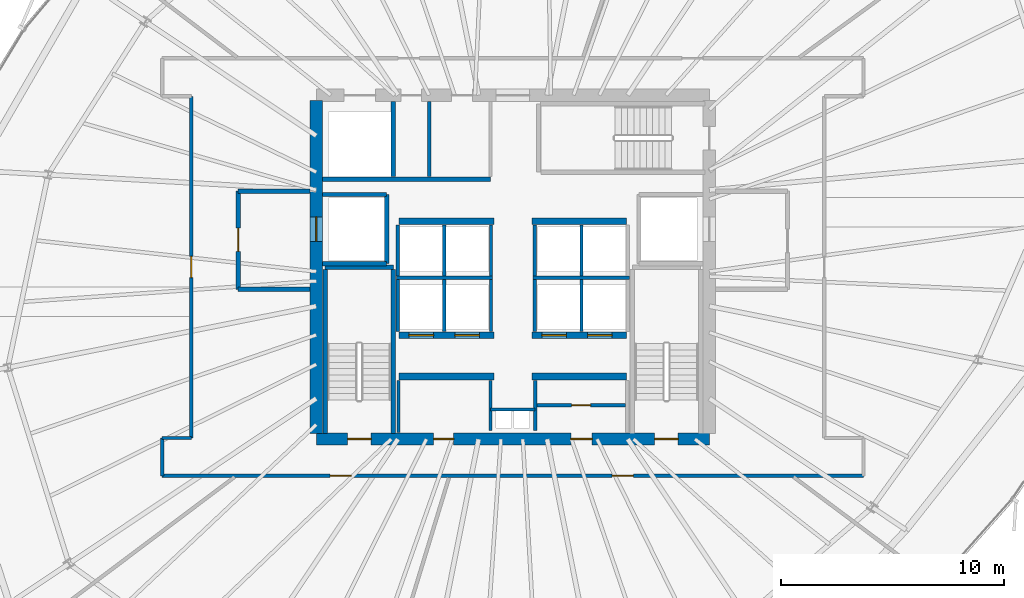
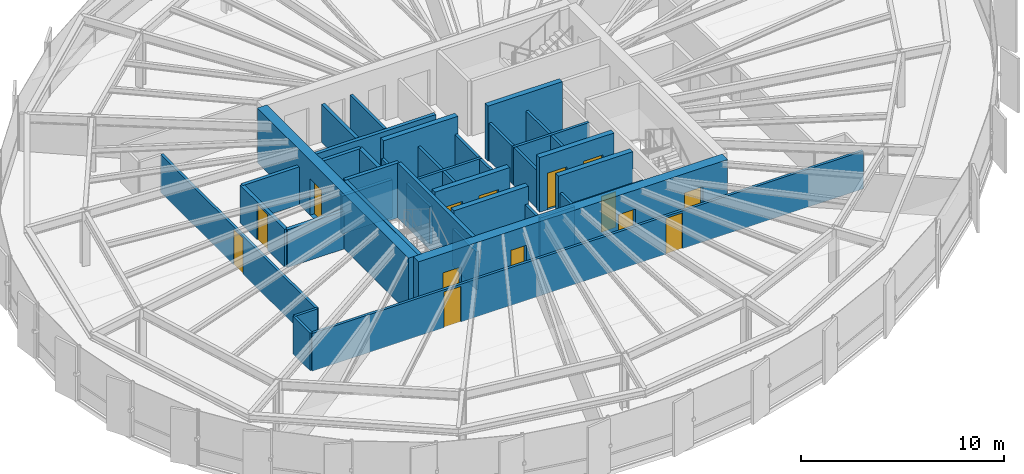
# One storey, part 29 of 36: 41 walls, 14 doors, 14 openings.
"""IFC4 building model written with IfcOpenShell, lengths in metres."""

import ifcopenshell
import ifcopenshell.guid

model = None  # the IFC model being written
_history = None  # IfcOwnerHistory: only IFC2X3 demands one
_inside = {}  # id of a spatial element -> (the spatial element, [elements in it])
_under = {}  # id of a project, library or spatial element -> (it, [spatial elements below it])
_declared = {}  # id of a project -> (the project, [libraries it declares])
_typed = {}  # id of a type object -> (the type object, [elements of that type])
_made_of = {}  # id of a material, layer set ... -> (it, [elements and type objects made of it])


def new_model(schema):
    """Start an empty IFC model of exactly this schema.

    Asked for "IFC4X3", IfcOpenShell would pick the latest addendum, in which some entities
    have other attributes; the version numbers below select the first issue.
    IFC2X3 requires an IfcOwnerHistory on every rooted entity: one is made here for all.
    """
    global model, _history
    if schema == "IFC4X3":
        model = ifcopenshell.file(schema_version=(4, 3, 0, 0))
    else:
        model = ifcopenshell.file(schema=schema)
    _inside.clear()
    _under.clear()
    _declared.clear()
    _typed.clear()
    _made_of.clear()
    _history = None
    if model.schema == "IFC2X3":
        org = make("IfcOrganization", Name="unknown")
        user = make(
            "IfcPersonAndOrganization",
            ThePerson=make("IfcPerson", FamilyName="unknown"),
            TheOrganization=org,
        )
        app = make(
            "IfcApplication",
            ApplicationDeveloper=org,
            Version="unknown",
            ApplicationFullName="unknown",
            ApplicationIdentifier="unknown",
        )
        _history = make(
            "IfcOwnerHistory",
            OwningUser=user,
            OwningApplication=app,
            ChangeAction="ADDED",
            CreationDate=0,
        )
    return model


def make(cls, **values):
    """One entity of the class cls with the attributes given. An attribute that is None is left unset."""
    return model.create_entity(
        cls, **{name: value for name, value in values.items() if value is not None}
    )


def rooted(cls, **values):
    """An entity with a GlobalId (a new one), such as an element, a storey or a relation."""
    return make(cls, GlobalId=ifcopenshell.guid.new(), OwnerHistory=_history, **values)


def si_unit(unit_type, name, prefix=None):
    """IfcSIUnit, for example si_unit("LENGTHUNIT", "METRE", prefix="MILLI")."""
    return make("IfcSIUnit", UnitType=unit_type, Prefix=prefix, Name=name)


def assignment(units):
    """IfcUnitAssignment: the units of a project."""
    return None if units is None else make("IfcUnitAssignment", Units=units)


def point(xyz):
    """IfcCartesianPoint."""
    return None if xyz is None else make("IfcCartesianPoint", Coordinates=xyz)


def direction(xyz):
    """IfcDirection."""
    return None if xyz is None else make("IfcDirection", DirectionRatios=xyz)


def frame(location, z_axis=None, x_axis=None):
    """IfcAxis2Placement3D, a coordinate frame: its origin and axes. An axis left out is left unset."""
    return make(
        "IfcAxis2Placement3D",
        Location=point(location),
        Axis=direction(z_axis),
        RefDirection=direction(x_axis),
    )


def frame_2d(location, x_axis=None):
    """IfcAxis2Placement2D, a coordinate frame in the plane: its origin and x axis."""
    return make(
        "IfcAxis2Placement2D", Location=point(location), RefDirection=direction(x_axis)
    )


def origin():
    """The frame at (0, 0, 0) with its axes left unset."""
    return frame((0.0, 0.0, 0.0))


def place(relative_to, where):
    """IfcLocalPlacement: puts the frame where relative to a parent placement (None: the world)."""
    return make(
        "IfcLocalPlacement", PlacementRelTo=relative_to, RelativePlacement=where
    )


def context(
    kind, dimensions, precision=None, world=None, true_north=None, identifier=None
):
    """IfcGeometricRepresentationContext, for example the 3D "Model" context."""
    return make(
        "IfcGeometricRepresentationContext",
        ContextIdentifier=identifier,
        ContextType=kind,
        CoordinateSpaceDimension=dimensions,
        Precision=precision,
        WorldCoordinateSystem=world,
        TrueNorth=true_north,
    )


def subcontext(parent, identifier, kind, view, scale=None):
    """IfcGeometricRepresentationSubContext, for example "Body" below "Model"."""
    return make(
        "IfcGeometricRepresentationSubContext",
        ContextIdentifier=identifier,
        ContextType=kind,
        ParentContext=parent,
        TargetScale=scale,
        TargetView=view,
    )


def project(units=None, contexts=None):
    """IfcProject with its units and contexts."""
    return rooted(
        "IfcProject",
        Name="project",
        RepresentationContexts=contexts,
        UnitsInContext=assignment(units),
    )


def spatial(cls, under=None, at=None, **own):
    """A site, building, storey or space (cls), placed at a placement, below another one or the project."""
    s = rooted(cls, ObjectPlacement=at, **own)
    if under is not None:
        _under.setdefault(under.id(), (under, []))[1].append(s)
    return s


def profile(cls, at=None, kind="AREA", **sizes):
    """A parametric profile (cls). Its sizes go by their IFC names, for example OverallWidth=200.0."""
    return make(cls, ProfileType=kind, Position=at, **sizes)


def rectangle(**sizes):
    """IfcRectangleProfileDef."""
    return profile("IfcRectangleProfileDef", **sizes)


def extrude(swept, where, along, depth):
    """IfcExtrudedAreaSolid: the profile swept, set in the frame where, extruded along a direction by depth."""
    return make(
        "IfcExtrudedAreaSolid",
        SweptArea=swept,
        Position=where,
        ExtrudedDirection=direction(along),
        Depth=depth,
    )


def shape(context_of_items, identifier, shape_type, items):
    """IfcShapeRepresentation: the items that make up one representation, for example the "Body"."""
    return make(
        "IfcShapeRepresentation",
        ContextOfItems=context_of_items,
        RepresentationIdentifier=identifier,
        RepresentationType=shape_type,
        Items=items,
    )


def source(mapping_origin, context_of_items, identifier, shape_type, items):
    """IfcRepresentationMap: a shape defined once, which mapped items show again and again."""
    return make(
        "IfcRepresentationMap",
        MappingOrigin=mapping_origin,
        MappedRepresentation=shape(context_of_items, identifier, shape_type, items),
    )


def transform(
    local_origin,
    x_axis=None,
    y_axis=None,
    z_axis=None,
    scale=None,
    scale2=None,
    scale3=None,
    uniform=True,
):
    """IfcCartesianTransformationOperator3D, or its non-uniform kind. x_axis, y_axis, z_axis: its Axis1, 2, 3."""
    if uniform:
        return make(
            "IfcCartesianTransformationOperator3D",
            Axis1=direction(x_axis),
            Axis2=direction(y_axis),
            LocalOrigin=point(local_origin),
            Scale=scale,
            Axis3=direction(z_axis),
        )
    return make(
        "IfcCartesianTransformationOperator3DnonUniform",
        Axis1=direction(x_axis),
        Axis2=direction(y_axis),
        LocalOrigin=point(local_origin),
        Scale=scale,
        Axis3=direction(z_axis),
        Scale2=scale2,
        Scale3=scale3,
    )


def mapped(mapping_source, mapping_target):
    """IfcMappedItem: shows the shape of a source again, moved by a transform."""
    return make(
        "IfcMappedItem", MappingSource=mapping_source, MappingTarget=mapping_target
    )


def material(Name=None, Category=None):
    """IfcMaterial."""
    return make("IfcMaterial", Name=Name, Category=Category)


def layer(
    of_material, thickness, ventilated=None, Name=None, Category=None, Priority=None
):
    """IfcMaterialLayer: one layer of a wall or slab, of a material (None: an air gap)."""
    return make(
        "IfcMaterialLayer",
        Material=of_material,
        LayerThickness=thickness,
        IsVentilated=ventilated,
        Name=Name,
        Category=Category,
        Priority=Priority,
    )


def layer_set(layers, Name=None):
    """IfcMaterialLayerSet."""
    return make("IfcMaterialLayerSet", MaterialLayers=layers, LayerSetName=Name)


def made_of(thing, what):
    """Note that an element or type object is made of a material, layer set ...; save() writes the relation."""
    if what is not None:
        _made_of.setdefault(what.id(), (what, []))[1].append(thing)
    return thing


def type_object(cls, material=None, **own):
    """A type object (cls), such as IfcWallType, which elements share."""
    return made_of(rooted(cls, **own), material)


def element(
    cls,
    number,
    at=None,
    inside=None,
    cuts=None,
    type_object=None,
    material=None,
    context=None,
    identifier="Body",
    shape_type=None,
    held_by="IfcProductDefinitionShape",
    body=None,
    shapes=None,
    **own,
):
    """One element of the class cls, such as IfcWall. Its Tag is "e" and its number.

    at: its placement. inside: the storey or other place that contains it. cuts: it is an
    opening in that element (IfcRelVoidsElement). A single representation is given by context,
    identifier, shape_type and body (its items); several are given by shapes. held_by: the class
    of the entity that holds the representations. save() writes the other relations.
    """
    e = rooted(cls, Tag="e%d" % number, ObjectPlacement=at, **own)
    if body is not None:
        shapes = [shape(context, identifier, shape_type, body)]
    if shapes is not None:
        e.Representation = make(held_by, Representations=shapes)
    if inside is not None:
        _inside.setdefault(inside.id(), (inside, []))[1].append(e)
    if cuts is not None:
        rooted(
            "IfcRelVoidsElement", RelatingBuildingElement=cuts, RelatedOpeningElement=e
        )
    if type_object is not None:
        _typed.setdefault(type_object.id(), (type_object, []))[1].append(e)
    return made_of(e, material)


def fill(opening, filler):
    """IfcRelFillsElement: the door or window that sits in an opening."""
    return rooted(
        "IfcRelFillsElement",
        RelatingOpeningElement=opening,
        RelatedBuildingElement=filler,
    )


def aggregate(whole, parts):
    """IfcRelAggregates: a whole, such as a stair, and the parts it consists of."""
    return rooted("IfcRelAggregates", RelatingObject=whole, RelatedObjects=parts)


def save(model, path):
    """Write the relations noted so far, then the file.

    IfcRelAggregates (storeys below a building ...), IfcRelContainedInSpatialStructure (elements
    in a storey), IfcRelDefinesByType, IfcRelAssociatesMaterial and IfcRelDeclares: one each for
    every whole, place, type object, material and project.
    """
    for whole, parts in _under.values():
        aggregate(whole, parts)
    for where, things in _inside.values():
        rooted(
            "IfcRelContainedInSpatialStructure",
            RelatedElements=things,
            RelatingStructure=where,
        )
    for kind, things in _typed.values():
        rooted("IfcRelDefinesByType", RelatedObjects=things, RelatingType=kind)
    for what, things in _made_of.values():
        rooted("IfcRelAssociatesMaterial", RelatedObjects=things, RelatingMaterial=what)
    for by, libraries in _declared.values():
        rooted("IfcRelDeclares", RelatingContext=by, RelatedDefinitions=libraries)
    model.write(path)


model = new_model("IFC4")

# Units and contexts
model_context = context("Model", 3, precision=1e-05, world=origin(), true_north=direction((0.0, 1.0)))
body_context = subcontext(model_context, "Body", "Model", "MODEL_VIEW")
ifc_project = project(units=[si_unit("LENGTHUNIT", "METRE"), si_unit("AREAUNIT", "SQUARE_METRE"), si_unit("VOLUMEUNIT", "CUBIC_METRE"), si_unit("PLANEANGLEUNIT", "RADIAN"), si_unit("MASSUNIT", "GRAM", prefix="KILO"), si_unit("THERMODYNAMICTEMPERATUREUNIT", "KELVIN")], contexts=[model_context])

# Site, building, storey
site_placement = place(None, origin())
site = spatial("IfcSite", under=ifc_project, at=site_placement, CompositionType="ELEMENT")
building_placement = place(site_placement, origin())
building = spatial("IfcBuilding", under=site, at=building_placement, Name="Kethvar Cultural Tower", CompositionType="ELEMENT")
storey_placement = place(building_placement, frame((0.0, 0.0, 150.10009765625)))
storey = spatial("IfcBuildingStorey", under=building, at=storey_placement, Name="L38", CompositionType="ELEMENT", Elevation=150.10009765625)

# Wall, openings, doors
ifc_material_1 = material(Name="Concrete C60/75", Category="concrete")
ifc_layer_1 = layer(ifc_material_1, 0.550048828125, Name="Concrete C60/75", Category="concrete")
ifc_layer_set_1 = layer_set([ifc_layer_1], Name="Concrete C60/75 (550 mm)")
wall_type_1 = type_object("IfcWallType", Name="WL-CORE-550", PredefinedType="SHEAR", material=ifc_layer_set_1)
wall_1_placement = place(storey_placement, frame((38.0, 20.10009765625, 0.0), z_axis=(0.0, 0.0, 1.0), x_axis=(1.0, 0.0, 0.0)))
wall_1 = element("IfcWall", 1, at=wall_1_placement, inside=storey, type_object=wall_type_1, Name="L38 Core Shear Wall S", PredefinedType="SHEAR", context=body_context, shape_type="SweptSolid", body=[
    extrude(rectangle(XDim=17.60009765625, YDim=0.550048828125, at=frame_2d((8.800048828125, 0.0))), origin(), (0.0, 0.0, 1.0), 3.2998046875),
])
opening_1_placement = place(wall_1_placement, frame((1.39990234375, 0.0, 0.0)))
opening_1 = element("IfcOpeningElement", 2, at=opening_1_placement, cuts=wall_1, Name="Opening D-L38-S1", PredefinedType="OPENING", context=body_context, shape_type="SweptSolid", body=[
    extrude(rectangle(XDim=1.050048828125, YDim=2.14990234375, at=frame_2d((0.52490234375, 1.074951171875))), frame((0.0, 0.284912109375, 0.0), z_axis=(0.0, -1.0, 0.0), x_axis=(1.0, 0.0, 0.0)), (0.0, 0.0, 1.0), 0.570068359375),
])
opening_2_placement = place(wall_1_placement, frame((15.14990234375, 0.0, 0.0)))
opening_2 = element("IfcOpeningElement", 3, at=opening_2_placement, cuts=wall_1, Name="Opening D-L38-ST2", PredefinedType="OPENING", context=body_context, shape_type="SweptSolid", body=[
    extrude(rectangle(XDim=1.050048828125, YDim=2.14990234375, at=frame_2d((0.52490234375, 1.074951171875))), frame((0.0, 0.284912109375, 0.0), z_axis=(0.0, -1.0, 0.0), x_axis=(1.0, 0.0, 0.0)), (0.0, 0.0, 1.0), 0.570068359375),
])
opening_3_placement = place(wall_1_placement, frame((5.25, 0.0, 0.0)))
opening_3 = element("IfcOpeningElement", 4, at=opening_3_placement, cuts=wall_1, Name="Opening D-L38-V1", PredefinedType="OPENING", context=body_context, shape_type="SweptSolid", body=[
    extrude(rectangle(XDim=0.89990234375, YDim=2.14990234375, at=frame_2d((0.449951171875, 1.074951171875))), frame((0.0, 0.284912109375, 0.0), z_axis=(0.0, -1.0, 0.0), x_axis=(1.0, 0.0, 0.0)), (0.0, 0.0, 1.0), 0.570068359375),
])
opening_4_placement = place(wall_1_placement, frame((11.39990234375, 0.0, 0.0)))
opening_4 = element("IfcOpeningElement", 5, at=opening_4_placement, cuts=wall_1, Name="Opening D-L38-V2", PredefinedType="OPENING", context=body_context, shape_type="SweptSolid", body=[
    extrude(rectangle(XDim=0.949951171875, YDim=2.14990234375, at=frame_2d((0.47509765625, 1.074951171875))), frame((0.0, 0.284912109375, 0.0), z_axis=(0.0, -1.0, 0.0), x_axis=(1.0, 0.0, 0.0)), (0.0, 0.0, 1.0), 0.570068359375),
])
ifc_material_2 = material(Name="Steel S355J2", Category="steel")
door_type_1 = type_object("IfcDoorType", Name="DR-FD60-1050", OperationType="NOTDEFINED", PredefinedType="DOOR", material=ifc_material_2)
shared_shape_1 = source(origin(), body_context, "Body", "SweptSolid", [
    extrude(rectangle(XDim=1.050048828125, YDim=2.14990234375, at=frame_2d((0.52490234375, 1.074951171875))), frame((0.0, 0.02490234375, 0.0), z_axis=(0.0, -1.0, 0.0), x_axis=(1.0, 0.0, 0.0)), (0.0, 0.0, 1.0), 0.050048828125),
])
door_1_placement = place(opening_1_placement, origin())
door_1 = element("IfcDoor", 6, at=door_1_placement, inside=storey, type_object=door_type_1, Name="L38 Exit Stair 1 Door", OperationType="SINGLE_SWING_LEFT", OverallHeight=2.14990234375, OverallWidth=1.050048828125, PredefinedType="DOOR", context=body_context, shape_type="MappedRepresentation", body=[
    mapped(shared_shape_1, transform((0.0, 0.0, 0.0), scale=1.0)),
])
fill(opening_1, door_1)
door_2_placement = place(opening_2_placement, origin())
door_2 = element("IfcDoor", 7, at=door_2_placement, inside=storey, type_object=door_type_1, Name="L38 Exit Stair 2 Door", OperationType="SINGLE_SWING_RIGHT", OverallHeight=2.14990234375, OverallWidth=1.050048828125, PredefinedType="DOOR", context=body_context, shape_type="MappedRepresentation", body=[
    mapped(shared_shape_1, transform((0.0, 0.0, 0.0), scale=1.0)),
])
fill(opening_2, door_2)
ifc_material_3 = material(Name="Architectural Oak Timber", Category="wood")
door_type_2 = type_object("IfcDoorType", Name="DR-FD30-950", OperationType="NOTDEFINED", PredefinedType="DOOR", material=ifc_material_3)
shared_shape_2 = source(origin(), body_context, "Body", "SweptSolid", [
    extrude(rectangle(XDim=0.949951171875, YDim=2.14990234375, at=frame_2d((0.47509765625, 1.074951171875))), frame((0.0, 0.02490234375, 0.0), z_axis=(0.0, -1.0, 0.0), x_axis=(1.0, 0.0, 0.0)), (0.0, 0.0, 1.0), 0.050048828125),
])
door_3_placement = place(opening_4_placement, origin())
door_3 = element("IfcDoor", 8, at=door_3_placement, inside=storey, type_object=door_type_2, Name="L38 Bindery Supply Door", OperationType="SINGLE_SWING_RIGHT", OverallHeight=2.14990234375, OverallWidth=0.949951171875, PredefinedType="DOOR", context=body_context, shape_type="MappedRepresentation", body=[
    mapped(shared_shape_2, transform((0.0, 0.0, 0.0), scale=1.0)),
])
fill(opening_4, door_3)
door_type_3 = type_object("IfcDoorType", Name="DR-FD30-900", OperationType="NOTDEFINED", PredefinedType="DOOR", material=ifc_material_3)
shared_shape_3 = source(origin(), body_context, "Body", "SweptSolid", [
    extrude(rectangle(XDim=0.89990234375, YDim=2.14990234375, at=frame_2d((0.449951171875, 1.074951171875))), frame((0.0, 0.02490234375, 0.0), z_axis=(0.0, -1.0, 0.0), x_axis=(1.0, 0.0, 0.0)), (0.0, 0.0, 1.0), 0.050048828125),
])
door_4_placement = place(opening_3_placement, origin())
door_4 = element("IfcDoor", 9, at=door_4_placement, inside=storey, type_object=door_type_3, Name="L38 Folio Vault Door", OperationType="SINGLE_SWING_LEFT", OverallHeight=2.14990234375, OverallWidth=0.89990234375, PredefinedType="DOOR", context=body_context, shape_type="MappedRepresentation", body=[
    mapped(shared_shape_3, transform((0.0, 0.0, 0.0), scale=1.0)),
])
fill(opening_3, door_4)

# Wall, opening, door
wall_2_placement = place(storey_placement, frame((38.0, 35.260009765625, 0.0), z_axis=(0.0, 0.0, 1.0), x_axis=(0.0, -1.0, 0.0)))
wall_2 = element("IfcWall", 10, at=wall_2_placement, inside=storey, type_object=wall_type_1, Name="L38 Core Shear Wall W", PredefinedType="SHEAR", context=body_context, shape_type="SweptSolid", body=[
    extrude(rectangle(XDim=14.919921875, YDim=0.550048828125, at=frame_2d((7.4599609375, 0.0))), origin(), (0.0, 0.0, 1.0), 3.2998046875),
])
opening_5_placement = place(wall_2_placement, frame((5.2099609375, 0.0, 0.0)))
opening_5 = element("IfcOpeningElement", 11, at=opening_5_placement, cuts=wall_2, Name="Opening LD-1", PredefinedType="OPENING", context=body_context, shape_type="SweptSolid", body=[
    extrude(rectangle(XDim=1.10009765625, YDim=2.199951171875, at=frame_2d((0.550048828125, 1.10009765625))), frame((0.0, 0.284912109375, 0.0), z_axis=(0.0, -1.0, 0.0), x_axis=(1.0, 0.0, 0.0)), (0.0, 0.0, 1.0), 0.570068359375),
])
door_type_4 = type_object("IfcDoorType", Name="DR-LIFT-SLIDE-1100", OperationType="NOTDEFINED", PredefinedType="DOOR", material=ifc_material_2)
shared_shape_4 = source(origin(), body_context, "Body", "SweptSolid", [
    extrude(rectangle(XDim=1.10009765625, YDim=2.199951171875, at=frame_2d((0.550048828125, 1.10009765625))), frame((0.0, 0.02490234375, 0.0), z_axis=(0.0, -1.0, 0.0), x_axis=(1.0, 0.0, 0.0)), (0.0, 0.0, 1.0), 0.050048828125),
])
door_5_placement = place(opening_5_placement, origin())
door_5 = element("IfcDoor", 12, at=door_5_placement, inside=storey, type_object=door_type_4, Name="L38 Firefighting Lift Landing Door FFL-01", OperationType="SLIDING_TO_LEFT", OverallHeight=2.199951171875, OverallWidth=1.10009765625, PredefinedType="DOOR", context=body_context, shape_type="MappedRepresentation", body=[
    mapped(shared_shape_4, transform((0.0, 0.0, 0.0), scale=1.0)),
])
fill(opening_5, door_5)

# Walls
ifc_material_4 = material(Name="Gypsum Fireboard Partition")
ifc_layer_2 = layer(ifc_material_4, 0.14990234375, Name="Gypsum Fireboard Partition")
ifc_layer_set_2 = layer_set([ifc_layer_2], Name="Gypsum Fireboard Partition (150 mm)")
wall_type_2 = type_object("IfcWallType", Name="WL-FIRE-150", PredefinedType="PARTITIONING", material=ifc_layer_set_2)
wall_3_placement = place(storey_placement, frame((45.800048828125, 21.419921875, 0.0), z_axis=(0.0, 0.0, 1.0), x_axis=(1.0, 0.0, 0.0)))
element("IfcWall", 13, at=wall_3_placement, inside=storey, type_object=wall_type_2, Name="L38 Core Riser Wall", PredefinedType="PARTITIONING", context=body_context, shape_type="SweptSolid", body=[
    extrude(rectangle(XDim=2.0, YDim=0.14990234375, at=frame_2d((1.0, 0.0))), origin(), (0.0, 0.0, 1.0), 2.27978515625),
])
for number, where, z_axis, x_axis, name in (
    (14, (45.800048828125, 20.47998046875, 0.0), (0.0, 0.0, 1.0), (0.0, 1.0, 0.0), "L38 Core Riser West Wall"),
    (15, (47.800048828125, 20.47998046875, 0.0), (0.0, 0.0, 1.0), (0.0, 1.0, 0.0), "L38 Core Riser East Wall"),
):
    element("IfcWall", number, at=place(storey_placement, frame(where, z_axis=z_axis, x_axis=x_axis)), inside=storey, type_object=wall_type_2, Name=name, PredefinedType="PARTITIONING", context=body_context, shape_type="SweptSolid", body=[
        extrude(rectangle(XDim=2.239990234375, YDim=0.14990234375, at=frame_2d((1.1201171875, 0.0))), origin(), (0.0, 0.0, 1.0), 2.27978515625),
    ])
wall_4_placement = place(storey_placement, frame((41.679931640625, 20.385009765625, 0.0), z_axis=(0.0, 0.0, 1.0), x_axis=(0.0, 1.0, 0.0)))
element("IfcWall", 16, at=wall_4_placement, inside=storey, type_object=wall_type_2, Name="L38 Reclaimed West Outer Wall", PredefinedType="PARTITIONING", context=body_context, shape_type="SweptSolid", body=[
    extrude(rectangle(XDim=2.344970703125, YDim=0.14990234375, at=frame_2d((1.17236328125, 0.0))), origin(), (0.0, 0.0, 1.0), 2.27978515625),
])

# Wall, opening, door
wall_5_placement = place(storey_placement, frame((47.8798828125, 21.6201171875, 0.0), z_axis=(0.0, 0.0, 1.0), x_axis=(1.0, 0.0, 0.0)))
wall_5 = element("IfcWall", 17, at=wall_5_placement, inside=storey, type_object=wall_type_2, Name="L38 Pantry Gallery Wall E", PredefinedType="PARTITIONING", context=body_context, shape_type="SweptSolid", body=[
    extrude(rectangle(XDim=3.960205078125, YDim=0.14990234375, at=frame_2d((1.97998046875, 0.0))), origin(), (0.0, 0.0, 1.0), 2.27978515625),
])
opening_6_placement = place(wall_5_placement, frame((1.550048828125, 0.0, 0.0)))
opening_6 = element("IfcOpeningElement", 18, at=opening_6_placement, cuts=wall_5, Name="Opening D-L38-V3", PredefinedType="OPENING", context=body_context, shape_type="SweptSolid", body=[
    extrude(rectangle(XDim=0.85009765625, YDim=2.14990234375, at=frame_2d((0.425048828125, 1.074951171875))), frame((0.0, 0.0849609375, 0.0), z_axis=(0.0, -1.0, 0.0), x_axis=(1.0, 0.0, 0.0)), (0.0, 0.0, 1.0), 0.169921875),
])
door_type_5 = type_object("IfcDoorType", Name="DR-FD30-850", OperationType="NOTDEFINED", PredefinedType="DOOR", material=ifc_material_2)
shared_shape_5 = source(origin(), body_context, "Body", "SweptSolid", [
    extrude(rectangle(XDim=0.85009765625, YDim=2.14990234375, at=frame_2d((0.425048828125, 1.074951171875))), frame((0.0, 0.02490234375, 0.0), z_axis=(0.0, -1.0, 0.0), x_axis=(1.0, 0.0, 0.0)), (0.0, 0.0, 1.0), 0.050048828125),
])
door_6_placement = place(opening_6_placement, origin())
door_6 = element("IfcDoor", 19, at=door_6_placement, inside=storey, type_object=door_type_5, Name="L38 Inner Pantry Gallery Door", OperationType="SINGLE_SWING_RIGHT", OverallHeight=2.14990234375, OverallWidth=0.85009765625, PredefinedType="DOOR", context=body_context, shape_type="MappedRepresentation", body=[
    mapped(shared_shape_5, transform((0.0, 0.0, 0.0), scale=1.0)),
])
fill(opening_6, door_6)

# Walls
wall_6_placement = place(storey_placement, frame((41.580078125, 27.324951171875, 0.0), z_axis=(0.0, 0.0, 1.0), x_axis=(1.0, 0.0, 0.0)))
element("IfcWall", 20, at=wall_6_placement, inside=storey, type_object=wall_type_2, Name="L38 Mid-High Lift Shaft Back Wall W", PredefinedType="PARTITIONING", context=body_context, shape_type="SweptSolid", body=[
    extrude(rectangle(XDim=4.31982421875, YDim=0.14990234375, at=frame_2d((2.159912109375, 0.0))), origin(), (0.0, 0.0, 1.0), 2.27978515625),
])
wall_7_placement = place(storey_placement, frame((47.699951171875, 27.324951171875, 0.0), z_axis=(0.0, 0.0, 1.0), x_axis=(1.0, 0.0, 0.0)))
element("IfcWall", 21, at=wall_7_placement, inside=storey, type_object=wall_type_2, Name="L38 Mid-High Lift Shaft Back Wall E", PredefinedType="PARTITIONING", context=body_context, shape_type="SweptSolid", body=[
    extrude(rectangle(XDim=4.320068359375, YDim=0.14990234375, at=frame_2d((2.16015625, 0.0))), origin(), (0.0, 0.0, 1.0), 2.27978515625),
])
for number, where, z_axis, x_axis, name in (
    (22, (41.64990234375, 24.919921875, 0.0), (0.0, 0.0, 1.0), (0.0, 1.0, 0.0), "L38 Mid-Rise Lift Shaft Outer Wall W"),
    (23, (43.72509765625, 24.919921875, 0.0), (0.0, 0.0, 1.0), (0.0, 1.0, 0.0), "L38 Mid-Rise Lift Shaft Divider W"),
    (24, (45.824951171875, 24.919921875, 0.0), (0.0, 0.0, 1.0), (0.0, 1.0, 0.0), "L38 Mid-Rise Lift Shaft Concourse Wall W"),
    (25, (47.77490234375, 24.919921875, 0.0), (0.0, 0.0, 1.0), (0.0, 1.0, 0.0), "L38 Mid-Rise Lift Shaft Concourse Wall E"),
    (26, (49.875, 24.919921875, 0.0), (0.0, 0.0, 1.0), (0.0, 1.0, 0.0), "L38 Mid-Rise Lift Shaft Divider E"),
):
    element("IfcWall", number, at=place(storey_placement, frame(where, z_axis=z_axis, x_axis=x_axis)), inside=storey, type_object=wall_type_2, Name=name, PredefinedType="PARTITIONING", context=body_context, shape_type="SweptSolid", body=[
        extrude(rectangle(XDim=2.320068359375, YDim=0.14990234375, at=frame_2d((1.16015625, 0.0))), origin(), (0.0, 0.0, 1.0), 2.27978515625),
    ])
for number, where, z_axis, x_axis, name in (
    (27, (41.64990234375, 27.409912109375, 0.0), (0.0, 0.0, 1.0), (0.0, 1.0, 0.0), "L38 High-Rise Lift Shaft Outer Wall W"),
    (28, (43.72509765625, 27.409912109375, 0.0), (0.0, 0.0, 1.0), (0.0, 1.0, 0.0), "L38 High-Rise Lift Shaft Divider W"),
    (29, (45.824951171875, 27.409912109375, 0.0), (0.0, 0.0, 1.0), (0.0, 1.0, 0.0), "L38 High-Rise Lift Shaft Concourse Wall W"),
    (30, (47.77490234375, 27.409912109375, 0.0), (0.0, 0.0, 1.0), (0.0, 1.0, 0.0), "L38 High-Rise Lift Shaft Concourse Wall E"),
    (31, (49.875, 27.409912109375, 0.0), (0.0, 0.0, 1.0), (0.0, 1.0, 0.0), "L38 High-Rise Lift Shaft Divider E"),
):
    element("IfcWall", number, at=place(storey_placement, frame(where, z_axis=z_axis, x_axis=x_axis)), inside=storey, type_object=wall_type_2, Name=name, PredefinedType="PARTITIONING", context=body_context, shape_type="SweptSolid", body=[
        extrude(rectangle(XDim=2.27001953125, YDim=0.14990234375, at=frame_2d((1.135009765625, 0.0))), origin(), (0.0, 0.0, 1.0), 2.27978515625),
    ])

# Wall, openings, doors
wall_8_placement = place(storey_placement, frame((31.10009765625, 18.449951171875, 0.0), z_axis=(0.0, 0.0, 1.0), x_axis=(1.0, 0.0, 0.0)))
wall_8 = element("IfcWall", 32, at=wall_8_placement, inside=storey, type_object=wall_type_2, Name="L38 Corridor Rated Wall S", PredefinedType="PARTITIONING", context=body_context, shape_type="SweptSolid", body=[
    extrude(rectangle(XDim=31.39990234375, YDim=0.14990234375, at=frame_2d((15.699951171875, 0.0))), origin(), (0.0, 0.0, 1.0), 2.27978515625),
])
opening_7_placement = place(wall_8_placement, frame((7.5166015625, 0.0, 0.0)))
opening_7 = element("IfcOpeningElement", 33, at=opening_7_placement, cuts=wall_8, Name="Opening D-L38-01", PredefinedType="OPENING", context=body_context, shape_type="SweptSolid", body=[
    extrude(rectangle(XDim=0.949951171875, YDim=2.14990234375, at=frame_2d((0.47509765625, 1.074951171875))), frame((0.0, 0.0849609375, 0.0), z_axis=(0.0, -1.0, 0.0), x_axis=(1.0, 0.0, 0.0)), (0.0, 0.0, 1.0), 0.169921875),
])
opening_8_placement = place(wall_8_placement, frame((20.1494140625, 0.0, 0.0)))
opening_8 = element("IfcOpeningElement", 34, at=opening_8_placement, cuts=wall_8, Name="Opening D-L38-02", PredefinedType="OPENING", context=body_context, shape_type="SweptSolid", body=[
    extrude(rectangle(XDim=0.949951171875, YDim=2.14990234375, at=frame_2d((0.47509765625, 1.074951171875))), frame((0.0, 0.0849609375, 0.0), z_axis=(0.0, -1.0, 0.0), x_axis=(1.0, 0.0, 0.0)), (0.0, 0.0, 1.0), 0.169921875),
])
door_7_placement = place(opening_7_placement, origin())
door_7 = element("IfcDoor", 35, at=door_7_placement, inside=storey, type_object=door_type_2, Name="L38 Periodicals Reading Lounge 01 Door", OperationType="SINGLE_SWING_LEFT", OverallHeight=2.14990234375, OverallWidth=0.949951171875, PredefinedType="DOOR", context=body_context, shape_type="MappedRepresentation", body=[
    mapped(shared_shape_2, transform((0.0, 0.0, 0.0), scale=1.0)),
])
fill(opening_7, door_7)
door_8_placement = place(opening_8_placement, origin())
door_8 = element("IfcDoor", 36, at=door_8_placement, inside=storey, type_object=door_type_2, Name="L38 Members' Dining Lounge 02 Door", OperationType="SINGLE_SWING_RIGHT", OverallHeight=2.14990234375, OverallWidth=0.949951171875, PredefinedType="DOOR", context=body_context, shape_type="MappedRepresentation", body=[
    mapped(shared_shape_2, transform((0.0, 0.0, 0.0), scale=1.0)),
])
fill(opening_8, door_8)

# Wall, opening, door
wall_9_placement = place(storey_placement, frame((32.39990234375, 35.449951171875, 0.0), z_axis=(0.0, 0.0, 1.0), x_axis=(0.0, -1.0, 0.0)))
wall_9 = element("IfcWall", 37, at=wall_9_placement, inside=storey, type_object=wall_type_2, Name="L38 Corridor Rated Wall WM", PredefinedType="PARTITIONING", context=body_context, shape_type="SweptSolid", body=[
    extrude(rectangle(XDim=15.300048828125, YDim=0.14990234375, at=frame_2d((7.64990234375, 0.0))), origin(), (0.0, 0.0, 1.0), 2.27978515625),
])
opening_9_placement = place(wall_9_placement, frame((7.175048828125, 0.0, 0.0)))
opening_9 = element("IfcOpeningElement", 38, at=opening_9_placement, cuts=wall_9, Name="Opening D-L38-06", PredefinedType="OPENING", context=body_context, shape_type="SweptSolid", body=[
    extrude(rectangle(XDim=0.949951171875, YDim=2.14990234375, at=frame_2d((0.47509765625, 1.074951171875))), frame((0.0, 0.0849609375, 0.0), z_axis=(0.0, -1.0, 0.0), x_axis=(1.0, 0.0, 0.0)), (0.0, 0.0, 1.0), 0.169921875),
])
door_9_placement = place(opening_9_placement, origin())
door_9 = element("IfcDoor", 39, at=door_9_placement, inside=storey, type_object=door_type_2, Name="L38 Rare Folio Storage 06 Door", OperationType="SINGLE_SWING_RIGHT", OverallHeight=2.14990234375, OverallWidth=0.949951171875, PredefinedType="DOOR", context=body_context, shape_type="MappedRepresentation", body=[
    mapped(shared_shape_2, transform((0.0, 0.0, 0.0), scale=1.0)),
])
fill(opening_9, door_9)

# Walls
wall_10_placement = place(storey_placement, frame((32.39990234375, 20.14990234375, 0.0), z_axis=(0.0, 0.0, 1.0), x_axis=(-1.0, 0.0, 0.0)))
element("IfcWall", 40, at=wall_10_placement, inside=storey, type_object=wall_type_2, Name="L38 Corridor Rated Wall WST", PredefinedType="PARTITIONING", context=body_context, shape_type="SweptSolid", body=[
    extrude(rectangle(XDim=1.2998046875, YDim=0.14990234375, at=frame_2d((0.64990234375, 0.0))), origin(), (0.0, 0.0, 1.0), 2.27978515625),
])
wall_11_placement = place(storey_placement, frame((31.10009765625, 20.14990234375, 0.0), z_axis=(0.0, 0.0, 1.0), x_axis=(0.0, -1.0, 0.0)))
element("IfcWall", 41, at=wall_11_placement, inside=storey, type_object=wall_type_2, Name="L38 Corridor Rated Wall WS", PredefinedType="PARTITIONING", context=body_context, shape_type="SweptSolid", body=[
    extrude(rectangle(XDim=1.699951171875, YDim=0.14990234375, at=frame_2d((0.85009765625, 0.0))), origin(), (0.0, 0.0, 1.0), 2.27978515625),
])
ifc_material_5 = material(Name="Concrete C40/50", Category="concrete")
ifc_layer_3 = layer(ifc_material_5, 0.199951171875, Name="Concrete C40/50", Category="concrete")
ifc_layer_set_3 = layer_set([ifc_layer_3], Name="Concrete C40/50 (200 mm)")
wall_type_3 = type_object("IfcWallType", Name="WL-FIRE-200", PredefinedType="PARTITIONING", material=ifc_layer_set_3)
wall_12_placement = place(storey_placement, frame((41.14990234375, 27.949951171875, 0.0), z_axis=(0.0, 0.0, 1.0), x_axis=(0.0, 1.0, 0.0)))
element("IfcWall", 42, at=wall_12_placement, inside=storey, type_object=wall_type_3, Name="L38 FFL-01 Shaft Inner Wall", PredefinedType="PARTITIONING", context=body_context, shape_type="SweptSolid", body=[
    extrude(rectangle(XDim=3.10009765625, YDim=0.199951171875, at=frame_2d((1.550048828125, 0.0))), origin(), (0.0, 0.0, 1.0), 2.27978515625),
])
for number, where, z_axis, x_axis, name in (
    (43, (38.284912109375, 27.949951171875, 0.0), (0.0, 0.0, 1.0), (1.0, 0.0, 0.0), "L38 FFL-01 Shaft South Wall"),
    (44, (38.284912109375, 31.050048828125, 0.0), (0.0, 0.0, 1.0), (1.0, 0.0, 0.0), "L38 FFL-01 Shaft North Wall"),
):
    element("IfcWall", number, at=place(storey_placement, frame(where, z_axis=z_axis, x_axis=x_axis)), inside=storey, type_object=wall_type_3, Name=name, PredefinedType="PARTITIONING", context=body_context, shape_type="SweptSolid", body=[
        extrude(rectangle(XDim=2.864990234375, YDim=0.199951171875, at=frame_2d((1.4326171875, 0.0))), origin(), (0.0, 0.0, 1.0), 2.27978515625),
    ])

# Wall, opening, door
wall_13_placement = place(storey_placement, frame((34.5, 31.199951171875, 0.0), z_axis=(0.0, 0.0, 1.0), x_axis=(0.0, -1.0, 0.0)))
wall_13 = element("IfcWall", 45, at=wall_13_placement, inside=storey, type_object=wall_type_3, Name="L38 Firefighting Lobby 1 Wall", PredefinedType="PARTITIONING", context=body_context, shape_type="SweptSolid", body=[
    extrude(rectangle(XDim=4.39990234375, YDim=0.199951171875, at=frame_2d((2.199951171875, 0.0))), origin(), (0.0, 0.0, 1.0), 2.27978515625),
])
opening_10_placement = place(wall_13_placement, frame((1.64990234375, 0.0, 0.0)))
opening_10 = element("IfcOpeningElement", 46, at=opening_10_placement, cuts=wall_13, Name="Opening D-L38-F1", PredefinedType="OPENING", context=body_context, shape_type="SweptSolid", body=[
    extrude(rectangle(XDim=1.050048828125, YDim=2.14990234375, at=frame_2d((0.52490234375, 1.074951171875))), frame((0.0, 0.10986328125, 0.0), z_axis=(0.0, -1.0, 0.0), x_axis=(1.0, 0.0, 0.0)), (0.0, 0.0, 1.0), 0.219970703125),
])
door_10_placement = place(opening_10_placement, origin())
door_10 = element("IfcDoor", 47, at=door_10_placement, inside=storey, type_object=door_type_1, Name="L38 Firefighting Lobby 1 Fire Door", OperationType="SINGLE_SWING_LEFT", OverallHeight=2.14990234375, OverallWidth=1.050048828125, PredefinedType="DOOR", context=body_context, shape_type="MappedRepresentation", body=[
    mapped(shared_shape_1, transform((0.0, 0.0, 0.0), scale=1.0)),
])
fill(opening_10, door_10)

# Walls
for number, where, z_axis, x_axis, name in (
    (48, (34.5, 26.800048828125, 0.0), (0.0, 0.0, 1.0), (1.0, 0.0, 0.0), "L38 FF Lobby 1 South Wall"),
    (49, (34.5, 31.199951171875, 0.0), (0.0, 0.0, 1.0), (1.0, 0.0, 0.0), "L38 FF Lobby 1 North Wall"),
):
    element("IfcWall", number, at=place(storey_placement, frame(where, z_axis=z_axis, x_axis=x_axis)), inside=storey, type_object=wall_type_3, Name=name, PredefinedType="PARTITIONING", context=body_context, shape_type="SweptSolid", body=[
        extrude(rectangle(XDim=3.215087890625, YDim=0.199951171875, at=frame_2d((1.607421875, 0.0))), origin(), (0.0, 0.0, 1.0), 2.27978515625),
    ])
wall_14_placement = place(storey_placement, frame((41.449951171875, 31.85009765625, 0.0), z_axis=(0.0, 0.0, 1.0), x_axis=(0.0, 1.0, 0.0)))
element("IfcWall", 50, at=wall_14_placement, inside=storey, type_object=wall_type_3, Name="L38 NW Core Pocket Wall", PredefinedType="PARTITIONING", context=body_context, shape_type="SweptSolid", body=[
    extrude(rectangle(XDim=3.364990234375, YDim=0.199951171875, at=frame_2d((1.6826171875, 0.0))), origin(), (0.0, 0.0, 1.0), 2.27978515625),
])
wall_15_placement = place(storey_placement, frame((38.284912109375, 31.72998046875, 0.0), z_axis=(0.0, 0.0, 1.0), x_axis=(1.0, 0.0, 0.0)))
element("IfcWall", 51, at=wall_15_placement, inside=storey, type_object=wall_type_3, Name="L38 North Core Sanitary South Wall", PredefinedType="PARTITIONING", context=body_context, shape_type="SweptSolid", body=[
    extrude(rectangle(XDim=7.51513671875, YDim=0.199951171875, at=frame_2d((3.757568359375, 0.0))), origin(), (0.0, 0.0, 1.0), 2.27978515625),
])
ifc_material_6 = material(Name="Moisture-Resistant Sanitary Chase Wall")
ifc_layer_4 = layer(ifc_material_6, 0.14990234375, Name="Moisture-Resistant Sanitary Chase Wall")
ifc_layer_set_4 = layer_set([ifc_layer_4], Name="Moisture-Resistant Sanitary Chase Wall (150 mm)")
wall_type_4 = type_object("IfcWallType", Name="WL-PLUMB-150", PredefinedType="PLUMBINGWALL", material=ifc_layer_set_4)
wall_16_placement = place(storey_placement, frame((43.050048828125, 31.85009765625, 0.0), z_axis=(0.0, 0.0, 1.0), x_axis=(0.0, 1.0, 0.0)))
element("IfcWall", 52, at=wall_16_placement, inside=storey, type_object=wall_type_4, Name="L38 Sanitary Plumbing Wall", PredefinedType="PLUMBINGWALL", context=body_context, shape_type="SweptSolid", body=[
    extrude(rectangle(XDim=3.364990234375, YDim=0.14990234375, at=frame_2d((1.6826171875, 0.0))), origin(), (0.0, 0.0, 1.0), 2.27978515625),
])
ifc_material_7 = material(Name="Concrete C50/60", Category="concrete")
ifc_layer_5 = layer(ifc_material_7, 0.300048828125, Name="Concrete C50/60", Category="concrete")
ifc_layer_set_5 = layer_set([ifc_layer_5], Name="Concrete C50/60 (300 mm)")
wall_type_5 = type_object("IfcWallType", Name="WL-SHAFT-300", PredefinedType="SHEAR", material=ifc_layer_set_5)
for number, where, z_axis, x_axis, name in (
    (53, (41.699951171875, 22.89990234375, 0.0), (0.0, 0.0, 1.0), (1.0, 0.0, 0.0), "L38 Core Lift Spine Wall MID1W"),
    (54, (47.64990234375, 22.89990234375, 0.0), (0.0, 0.0, 1.0), (1.0, 0.0, 0.0), "L38 Core Lift Spine Wall MID1E"),
):
    element("IfcWall", number, at=place(storey_placement, frame(where, z_axis=z_axis, x_axis=x_axis)), inside=storey, type_object=wall_type_5, Name=name, PredefinedType="SHEAR", context=body_context, shape_type="SweptSolid", body=[
        extrude(rectangle(XDim=4.25, YDim=0.300048828125, at=frame_2d((2.125, 0.0))), origin(), (0.0, 0.0, 1.0), 3.2998046875),
    ])

# Wall, openings, doors
wall_17_placement = place(storey_placement, frame((41.699951171875, 24.75, 0.0), z_axis=(0.0, 0.0, 1.0), x_axis=(1.0, 0.0, 0.0)))
wall_17 = element("IfcWall", 55, at=wall_17_placement, inside=storey, type_object=wall_type_5, Name="L38 Core Lift Spine Wall MID2W", PredefinedType="SHEAR", context=body_context, shape_type="SweptSolid", body=[
    extrude(rectangle(XDim=4.25, YDim=0.300048828125, at=frame_2d((2.125, 0.0))), origin(), (0.0, 0.0, 1.0), 3.2998046875),
])
opening_11_placement = place(wall_17_placement, frame((0.449951171875, 0.0, 0.0)))
opening_11 = element("IfcOpeningElement", 56, at=opening_11_placement, cuts=wall_17, Name="Opening LD-M1", PredefinedType="OPENING", context=body_context, shape_type="SweptSolid", body=[
    extrude(rectangle(XDim=1.10009765625, YDim=2.199951171875, at=frame_2d((0.550048828125, 1.10009765625))), frame((0.0, 0.159912109375, 0.0), z_axis=(0.0, -1.0, 0.0), x_axis=(1.0, 0.0, 0.0)), (0.0, 0.0, 1.0), 0.320068359375),
])
opening_12_placement = place(wall_17_placement, frame((2.5, 0.0, 0.0)))
opening_12 = element("IfcOpeningElement", 57, at=opening_12_placement, cuts=wall_17, Name="Opening LD-M2", PredefinedType="OPENING", context=body_context, shape_type="SweptSolid", body=[
    extrude(rectangle(XDim=1.10009765625, YDim=2.199951171875, at=frame_2d((0.550048828125, 1.10009765625))), frame((0.0, 0.159912109375, 0.0), z_axis=(0.0, -1.0, 0.0), x_axis=(1.0, 0.0, 0.0)), (0.0, 0.0, 1.0), 0.320068359375),
])
door_11_placement = place(opening_11_placement, origin())
door_11 = element("IfcDoor", 58, at=door_11_placement, inside=storey, type_object=door_type_4, Name="L38 Mid-Rise Lift Landing Door M1", OperationType="SLIDING_TO_RIGHT", OverallHeight=2.199951171875, OverallWidth=1.10009765625, PredefinedType="DOOR", context=body_context, shape_type="MappedRepresentation", body=[
    mapped(shared_shape_4, transform((0.0, 0.0, 0.0), scale=1.0)),
])
fill(opening_11, door_11)
door_12_placement = place(opening_12_placement, origin())
door_12 = element("IfcDoor", 59, at=door_12_placement, inside=storey, type_object=door_type_4, Name="L38 Mid-Rise Lift Landing Door M2", OperationType="SLIDING_TO_RIGHT", OverallHeight=2.199951171875, OverallWidth=1.10009765625, PredefinedType="DOOR", context=body_context, shape_type="MappedRepresentation", body=[
    mapped(shared_shape_4, transform((0.0, 0.0, 0.0), scale=1.0)),
])
fill(opening_12, door_12)

wall_18_placement = place(storey_placement, frame((47.64990234375, 24.75, 0.0), z_axis=(0.0, 0.0, 1.0), x_axis=(1.0, 0.0, 0.0)))
wall_18 = element("IfcWall", 60, at=wall_18_placement, inside=storey, type_object=wall_type_5, Name="L38 Core Lift Spine Wall MID2E", PredefinedType="SHEAR", context=body_context, shape_type="SweptSolid", body=[
    extrude(rectangle(XDim=4.25, YDim=0.300048828125, at=frame_2d((2.125, 0.0))), origin(), (0.0, 0.0, 1.0), 3.2998046875),
])
opening_13_placement = place(wall_18_placement, frame((0.449951171875, 0.0, 0.0)))
opening_13 = element("IfcOpeningElement", 61, at=opening_13_placement, cuts=wall_18, Name="Opening LD-M3", PredefinedType="OPENING", context=body_context, shape_type="SweptSolid", body=[
    extrude(rectangle(XDim=1.10009765625, YDim=2.199951171875, at=frame_2d((0.550048828125, 1.10009765625))), frame((0.0, 0.159912109375, 0.0), z_axis=(0.0, -1.0, 0.0), x_axis=(1.0, 0.0, 0.0)), (0.0, 0.0, 1.0), 0.320068359375),
])
opening_14_placement = place(wall_18_placement, frame((2.5, 0.0, 0.0)))
opening_14 = element("IfcOpeningElement", 62, at=opening_14_placement, cuts=wall_18, Name="Opening LD-M4", PredefinedType="OPENING", context=body_context, shape_type="SweptSolid", body=[
    extrude(rectangle(XDim=1.10009765625, YDim=2.199951171875, at=frame_2d((0.550048828125, 1.10009765625))), frame((0.0, 0.159912109375, 0.0), z_axis=(0.0, -1.0, 0.0), x_axis=(1.0, 0.0, 0.0)), (0.0, 0.0, 1.0), 0.320068359375),
])
door_13_placement = place(opening_13_placement, origin())
door_13 = element("IfcDoor", 63, at=door_13_placement, inside=storey, type_object=door_type_4, Name="L38 Mid-Rise Lift Landing Door M3", OperationType="SLIDING_TO_RIGHT", OverallHeight=2.199951171875, OverallWidth=1.10009765625, PredefinedType="DOOR", context=body_context, shape_type="MappedRepresentation", body=[
    mapped(shared_shape_4, transform((0.0, 0.0, 0.0), scale=1.0)),
])
fill(opening_13, door_13)
door_14_placement = place(opening_14_placement, origin())
door_14 = element("IfcDoor", 64, at=door_14_placement, inside=storey, type_object=door_type_4, Name="L38 Mid-Rise Lift Landing Door M4", OperationType="SLIDING_TO_RIGHT", OverallHeight=2.199951171875, OverallWidth=1.10009765625, PredefinedType="DOOR", context=body_context, shape_type="MappedRepresentation", body=[
    mapped(shared_shape_4, transform((0.0, 0.0, 0.0), scale=1.0)),
])
fill(opening_14, door_14)

# Walls
for number, where, z_axis, x_axis, name in (
    (65, (41.699951171875, 29.85009765625, 0.0), (0.0, 0.0, 1.0), (1.0, 0.0, 0.0), "L38 Core Lift Spine Wall MID3W"),
    (66, (47.64990234375, 29.85009765625, 0.0), (0.0, 0.0, 1.0), (1.0, 0.0, 0.0), "L38 Core Lift Spine Wall MID3E"),
):
    element("IfcWall", number, at=place(storey_placement, frame(where, z_axis=z_axis, x_axis=x_axis)), inside=storey, type_object=wall_type_5, Name=name, PredefinedType="SHEAR", context=body_context, shape_type="SweptSolid", body=[
        extrude(rectangle(XDim=4.25, YDim=0.300048828125, at=frame_2d((2.125, 0.0))), origin(), (0.0, 0.0, 1.0), 3.2998046875),
    ])
ifc_layer_6 = layer(ifc_material_7, 0.199951171875, Name="Concrete C50/60", Category="concrete")
ifc_layer_set_6 = layer_set([ifc_layer_6], Name="Concrete C50/60 (200 mm)")
wall_type_6 = type_object("IfcWallType", Name="WL-STSHAFT-200", PredefinedType="SHEAR", material=ifc_layer_set_6)
wall_19_placement = place(storey_placement, frame((38.389892578125, 27.800048828125, 0.0), z_axis=(0.0, 0.0, 1.0), x_axis=(1.0, 0.0, 0.0)))
element("IfcWall", 67, at=wall_19_placement, inside=storey, type_object=wall_type_6, Name="L38 ST-01 Stair Shaft Wall FAR", PredefinedType="SHEAR", context=body_context, shape_type="SweptSolid", body=[
    extrude(rectangle(XDim=3.06005859375, YDim=0.199951171875, at=frame_2d((1.530029296875, 0.0))), origin(), (0.0, 0.0, 1.0), 3.2998046875),
])
for number, where, z_axis, x_axis, name in (
    (68, (41.449951171875, 27.699951171875, 0.0), (0.0, 0.0, 1.0), (0.0, -1.0, 0.0), "L38 ST-01 Stair Shaft Wall LEFT"),
    (69, (38.389892578125, 20.35009765625, 0.0), (0.0, 0.0, 1.0), (0.0, 1.0, 0.0), "L38 ST-01 Stair Shaft Wall RIGHT"),
):
    element("IfcWall", number, at=place(storey_placement, frame(where, z_axis=z_axis, x_axis=x_axis)), inside=storey, type_object=wall_type_6, Name=name, PredefinedType="SHEAR", context=body_context, shape_type="SweptSolid", body=[
        extrude(rectangle(XDim=7.349853515625, YDim=0.199951171875, at=frame_2d((3.6748046875, 0.0))), origin(), (0.0, 0.0, 1.0), 3.2998046875),
    ])

save(model, "model.ifc")
